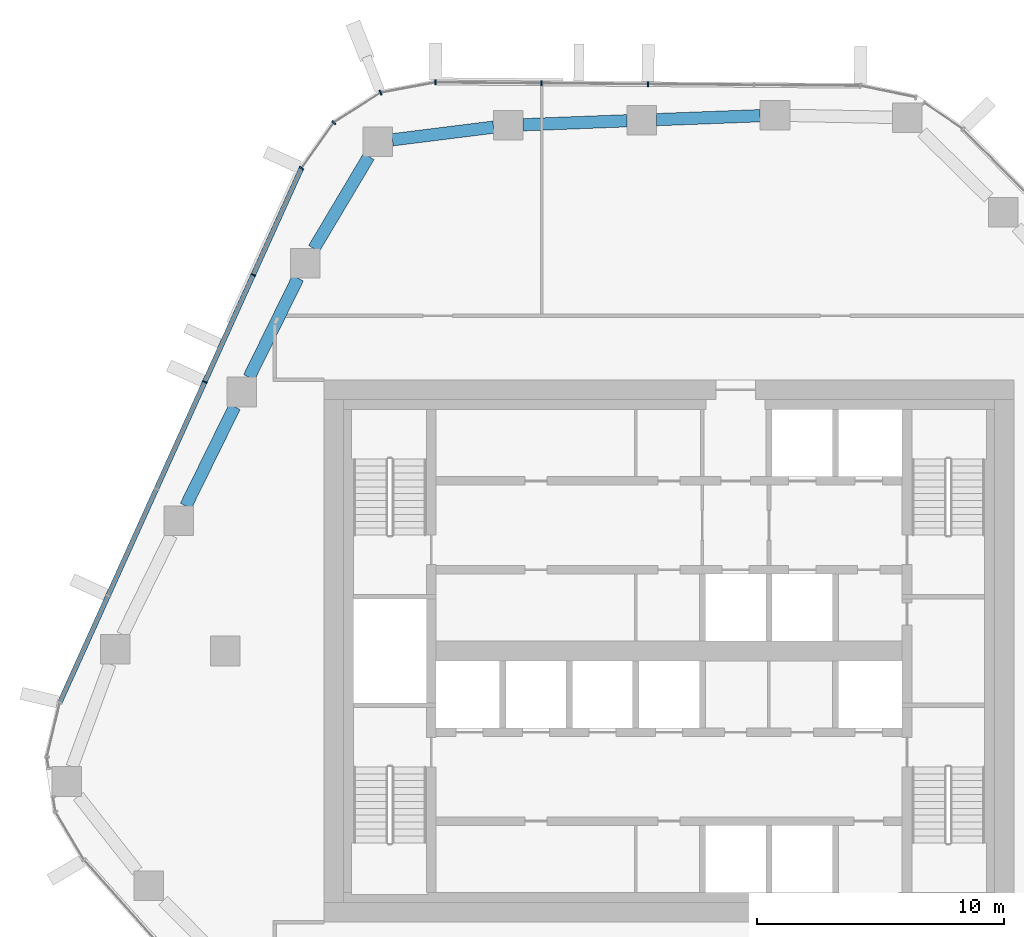
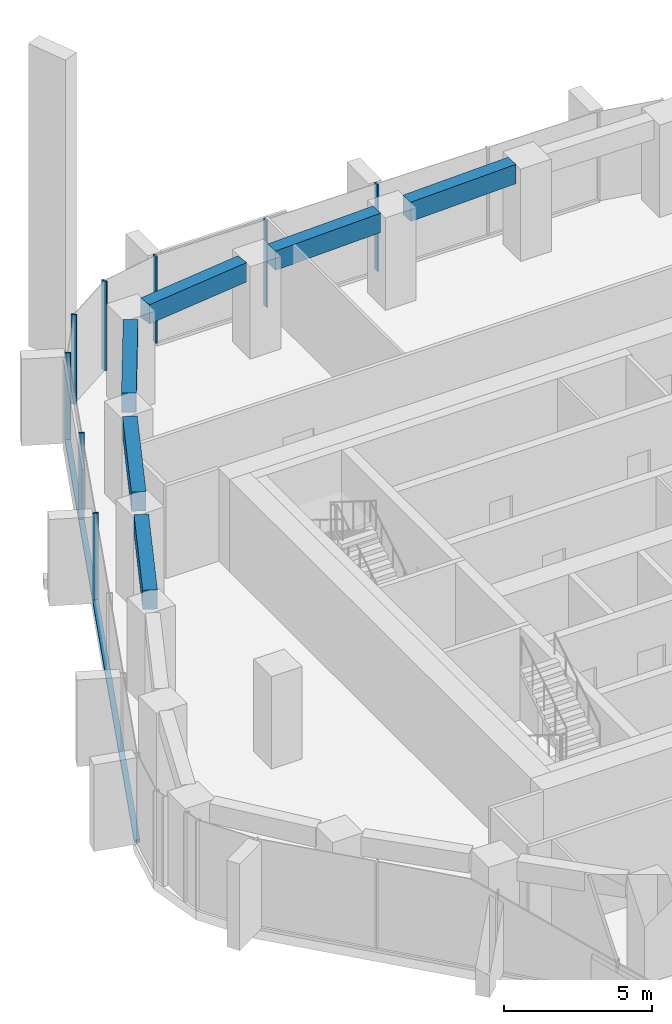
# One storey, part 5 of 18: 9 members, 6 beams, 3 elements without a shape of their own.
"""IFC4 building model written with IfcOpenShell, lengths in metres."""

from ifc_helpers import new_model, si_unit, direction, frame, origin, origin_2d, place, context, subcontext, project, spatial, rectangle, extrude, material, layer, layer_set, material_profile, profile_set, type_object, element, aggregate, save


model = new_model("IFC4")

# Units and contexts
model_context = context("Model", 3, precision=1e-05, world=origin(), true_north=direction((0.0, 1.0)))
body_context = subcontext(model_context, "Body", "Model", "MODEL_VIEW")
ifc_project = project(units=[si_unit("LENGTHUNIT", "METRE"), si_unit("AREAUNIT", "SQUARE_METRE"), si_unit("VOLUMEUNIT", "CUBIC_METRE"), si_unit("PLANEANGLEUNIT", "RADIAN"), si_unit("MASSUNIT", "GRAM", prefix="KILO")], contexts=[model_context])

# Site, building, storey
site_placement = place(None, origin())
site = spatial("IfcSite", under=ifc_project, at=site_placement, CompositionType="ELEMENT")
building_placement = place(site_placement, origin())
building = spatial("IfcBuilding", under=site, at=building_placement, Name="Dongbaek Canopy Tower", CompositionType="ELEMENT")
storey_placement = place(building_placement, frame((0.0, 0.0, 171.199951171875)))
storey = spatial("IfcBuildingStorey", under=building, at=storey_placement, Name="L37", CompositionType="ELEMENT", Elevation=171.199951171875)

# Curtain wall, members
ifc_material_1 = material(Name="Aluminium 6063-T6 pale anodised", Category="aluminium")
ifc_layer = layer(ifc_material_1, 0.199951171875)
ifc_layer_set = layer_set([ifc_layer], Name="CW-1 unitised tower curtain wall")
curtain_wall_type = type_object("IfcCurtainWallType", Name="CW-1 unitised tower curtain wall", PredefinedType="NOTDEFINED", material=ifc_layer_set)
curtain_wall_1_placement = place(storey_placement, origin())
curtain_wall_1 = element("IfcCurtainWall", 1, at=curtain_wall_1_placement, inside=storey, type_object=curtain_wall_type, Name="CW-1 curtain wall F1.1", PredefinedType="NOTDEFINED")
ifc_material_2 = material(Name="Aluminium 6063-T6 pale anodised", Category="aluminium")
ifc_material_profile_1 = material_profile(ifc_material_2, rectangle(XDim=0.199951171875, YDim=0.06005859375, at=origin_2d()), Name="CW-1 mullion 60 x 200")
ifc_profile_set_1 = profile_set([ifc_material_profile_1], Name="Aluminium 6063-T6 pale anodised")
member_type_1 = type_object("IfcMemberType", Name="CW-1 mullion 60 x 200", PredefinedType="MULLION", material=ifc_profile_set_1)
member_1_placement = place(storey_placement, frame((-0.8603515625, 22.994873046875, 0.1201171875), z_axis=(0.0, 0.0, 1.0), x_axis=(0.007847305301, 0.999969209426, 0.0)))
member_1 = element("IfcMember", 2, at=member_1_placement, type_object=member_type_1, Name="CW-1 mullion F1.1.3", PredefinedType="MULLION", context=body_context, shape_type="SweptSolid", body=[
    extrude(rectangle(XDim=0.199951171875, YDim=0.06005859375, at=origin_2d()), origin(), (0.0, 0.0, 1.0), 3.579833984375),
])
member_2_placement = place(storey_placement, frame((-5.17333984375, 23.028564453125, 0.1201171875), z_axis=(0.0, 0.0, 1.0), x_axis=(0.007847305301, 0.999969209426, 0.0)))
member_2 = element("IfcMember", 3, at=member_2_placement, type_object=member_type_1, Name="CW-1 mullion F1.1.4", PredefinedType="MULLION", context=body_context, shape_type="SweptSolid", body=[
    extrude(rectangle(XDim=0.199951171875, YDim=0.06005859375, at=origin_2d()), origin(), (0.0, 0.0, 1.0), 3.579833984375),
])
member_3_placement = place(storey_placement, frame((-9.476806640625, 23.0625, 0.1201171875), z_axis=(0.0, 0.0, 1.0), x_axis=(0.007847305301, 0.999969209426, 0.0)))
member_3 = element("IfcMember", 4, at=member_3_placement, type_object=member_type_1, Name="CW-1 mullion F1.1.5", PredefinedType="MULLION", context=body_context, shape_type="SweptSolid", body=[
    extrude(rectangle(XDim=0.199951171875, YDim=0.06005859375, at=origin_2d()), origin(), (0.0, 0.0, 1.0), 3.579833984375),
])
aggregate(curtain_wall_1, [member_1, member_2, member_3])

curtain_wall_2_placement = place(storey_placement, origin())
curtain_wall_2 = element("IfcCurtainWall", 5, at=curtain_wall_2_placement, inside=storey, type_object=curtain_wall_type, Name="CW-1 curtain wall K2.1", PredefinedType="NOTDEFINED")
member_4_placement = place(storey_placement, frame((-11.702880859375, 22.64697265625, 0.0), z_axis=(0.0, 0.0, 1.0), x_axis=(-0.367936190525, 0.929851041674, 0.0)))
member_4 = element("IfcMember", 6, at=member_4_placement, type_object=member_type_1, Name="CW-1 mullion K2.1.2", PredefinedType="MULLION", context=body_context, shape_type="SweptSolid", body=[
    extrude(rectangle(XDim=0.199951171875, YDim=0.06005859375, at=origin_2d()), origin(), (0.0, 0.0, 1.0), 3.699951171875),
])
member_5_placement = place(storey_placement, frame((-13.602294921875, 21.43212890625, 0.0), z_axis=(0.0, 0.0, 1.0), x_axis=(-0.689953246912, 0.723853933522, 0.0)))
member_5 = element("IfcMember", 7, at=member_5_placement, type_object=member_type_1, Name="CW-1 mullion K2.1.3", PredefinedType="MULLION", context=body_context, shape_type="SweptSolid", body=[
    extrude(rectangle(XDim=0.199951171875, YDim=0.06005859375, at=origin_2d()), origin(), (0.0, 0.0, 1.0), 3.699951171875),
])
member_6_placement = place(storey_placement, frame((-14.91259765625, 19.585205078125, 0.0), z_axis=(0.0, 0.0, 1.0), x_axis=(-0.815586707946, 0.578634877813, 0.0)))
member_6 = element("IfcMember", 8, at=member_6_placement, type_object=member_type_1, Name="CW-1 mullion K2.1.4", PredefinedType="MULLION", context=body_context, shape_type="SweptSolid", body=[
    extrude(rectangle(XDim=0.199951171875, YDim=0.06005859375, at=origin_2d()), origin(), (0.0, 0.0, 1.0), 3.699951171875),
])
aggregate(curtain_wall_2, [member_4, member_5, member_6])

curtain_wall_3_placement = place(storey_placement, origin())
curtain_wall_3 = element("IfcCurtainWall", 9, at=curtain_wall_3_placement, inside=storey, type_object=curtain_wall_type, Name="CW-1 curtain wall F2.1", PredefinedType="NOTDEFINED")
member_7_placement = place(storey_placement, frame((-16.87060546875, 15.255859375, 0.1201171875), z_axis=(0.0, 0.0, 1.0), x_axis=(-0.911147578037, 0.412080199763, 0.0)))
member_7 = element("IfcMember", 10, at=member_7_placement, type_object=member_type_1, Name="CW-1 mullion F2.1.2", PredefinedType="MULLION", context=body_context, shape_type="SweptSolid", body=[
    extrude(rectangle(XDim=0.199951171875, YDim=0.06005859375, at=origin_2d()), origin(), (0.0, 0.0, 1.0), 3.579833984375),
])
member_8_placement = place(storey_placement, frame((-18.83251953125, 10.91796875, 0.1201171875), z_axis=(0.0, 0.0, 1.0), x_axis=(-0.911147578037, 0.412080199763, 0.0)))
member_8 = element("IfcMember", 11, at=member_8_placement, type_object=member_type_1, Name="CW-1 mullion F2.1.3", PredefinedType="MULLION", context=body_context, shape_type="SweptSolid", body=[
    extrude(rectangle(XDim=0.199951171875, YDim=0.06005859375, at=origin_2d()), origin(), (0.0, 0.0, 1.0), 3.579833984375),
])
ifc_material_3 = material(Name="Aluminium 6063-T6 pale anodised", Category="aluminium")
ifc_material_profile_2 = material_profile(ifc_material_3, rectangle(XDim=0.199951171875, YDim=0.1201171875, at=origin_2d()), Name="CW-1 transom 120 x 200")
ifc_profile_set_2 = profile_set([ifc_material_profile_2], Name="Aluminium 6063-T6 pale anodised")
member_type_2 = type_object("IfcMemberType", Name="CW-1 transom 120 x 200", PredefinedType="USERDEFINED", material=ifc_profile_set_2)
member_9_placement = place(storey_placement, frame((-14.91259765625, 19.585205078125, 0.06005859375), z_axis=(-0.412075359847, -0.911149766947, 0.0), x_axis=(0.911149766947, -0.412075359847, 0.0)))
member_9 = element("IfcMember", 12, at=member_9_placement, type_object=member_type_2, Name="CW-1 transom F2.1.1", ObjectType="TRANSOM", PredefinedType="USERDEFINED", context=body_context, shape_type="SweptSolid", body=[
    extrude(rectangle(XDim=0.199951171875, YDim=0.1201171875, at=origin_2d()), origin(), (0.0, 0.0, 1.0), 23.78564453125),
])
aggregate(curtain_wall_3, [member_7, member_8, member_9])

# Beams
ifc_material_4 = material(Name="Concrete C70", Category="concrete")
ifc_material_profile_3 = material_profile(ifc_material_4, rectangle(XDim=0.5, YDim=0.800048828125, at=origin_2d()), Name="RC EDGE BEAM 500x800 C70")
ifc_profile_set_3 = profile_set([ifc_material_profile_3], Name="Concrete C70")
beam_type = type_object("IfcBeamType", Name="RC EDGE BEAM 500x800 C70", PredefinedType="BEAM", material=ifc_profile_set_3)
beam_1_placement = place(storey_placement, frame((-19.6005859375, 5.886962890625, 3.420166015625), z_axis=(0.441534821152, 0.897244114893, 0.0), x_axis=(-0.897244114893, 0.441534821152, 0.0)))
element("IfcBeam", 13, at=beam_1_placement, inside=storey, type_object=beam_type, Name="EDGEBEAM:L37:10", PredefinedType="BEAM", context=body_context, shape_type="SweptSolid", body=[
    extrude(rectangle(XDim=0.5, YDim=0.800048828125, at=origin_2d()), origin(), (0.0, 0.0, 1.0), 4.478271484375),
])
beam_2_placement = place(storey_placement, frame((-17.032958984375, 11.10498046875, 3.420166015625), z_axis=(0.441228982876, 0.89739455351, 0.0), x_axis=(-0.89739455351, 0.441228982876, 0.0)))
element("IfcBeam", 14, at=beam_2_placement, inside=storey, type_object=beam_type, Name="EDGEBEAM:L37:11", PredefinedType="BEAM", context=body_context, shape_type="SweptSolid", body=[
    extrude(rectangle(XDim=0.5, YDim=0.800048828125, at=origin_2d()), origin(), (0.0, 0.0, 1.0), 4.478515625),
])
beam_3_placement = place(storey_placement, frame((-14.40478515625, 16.323974609375, 3.420166015625), z_axis=(0.51151247975, 0.859275848061, 0.0), x_axis=(-0.859275848061, 0.51151247975, 0.0)))
element("IfcBeam", 15, at=beam_3_placement, inside=storey, type_object=beam_type, Name="EDGEBEAM:L37:12", PredefinedType="BEAM", context=body_context, shape_type="SweptSolid", body=[
    extrude(rectangle(XDim=0.5, YDim=0.800048828125, at=origin_2d()), origin(), (0.0, 0.0, 1.0), 4.34912109375),
])
beam_4_placement = place(storey_placement, frame((-11.222900390625, 20.73583984375, 3.420166015625), z_axis=(0.992289687294, 0.123940213368, 0.0), x_axis=(-0.123940213368, 0.992289687294, 0.0)))
element("IfcBeam", 16, at=beam_4_placement, inside=storey, type_object=beam_type, Name="EDGEBEAM:L37:13", PredefinedType="BEAM", context=body_context, shape_type="SweptSolid", body=[
    extrude(rectangle(XDim=0.5, YDim=0.800048828125, at=origin_2d()), origin(), (0.0, 0.0, 1.0), 4.1328125),
])
beam_5_placement = place(storey_placement, frame((-5.922119140625, 21.345947265625, 3.420166015625), z_axis=(0.999268092878, 0.038252824158, 0.0), x_axis=(-0.038252824158, 0.999268092878, 0.0)))
element("IfcBeam", 17, at=beam_5_placement, inside=storey, type_object=beam_type, Name="EDGEBEAM:L37:14", PredefinedType="BEAM", context=body_context, shape_type="SweptSolid", body=[
    extrude(rectangle(XDim=0.5, YDim=0.800048828125, at=origin_2d()), origin(), (0.0, 0.0, 1.0), 4.21240234375),
])
beam_6_placement = place(storey_placement, frame((-0.512939453125, 21.552978515625, 3.420166015625), z_axis=(0.999276508887, 0.0380323387, 0.0), x_axis=(-0.0380323387, 0.999276508887, 0.0)))
element("IfcBeam", 18, at=beam_6_placement, inside=storey, type_object=beam_type, Name="EDGEBEAM:L37:15", PredefinedType="BEAM", context=body_context, shape_type="SweptSolid", body=[
    extrude(rectangle(XDim=0.5, YDim=0.800048828125, at=origin_2d()), origin(), (0.0, 0.0, 1.0), 4.2109375),
])

save(model, "model.ifc")
